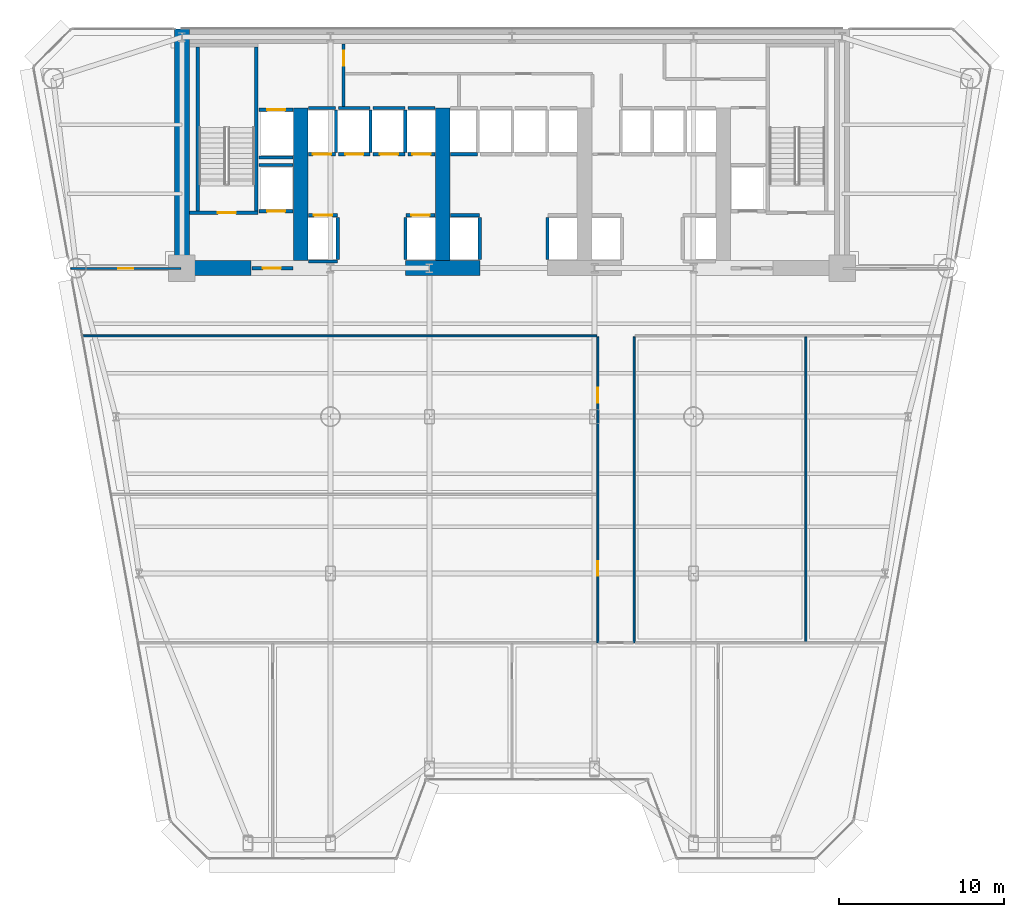
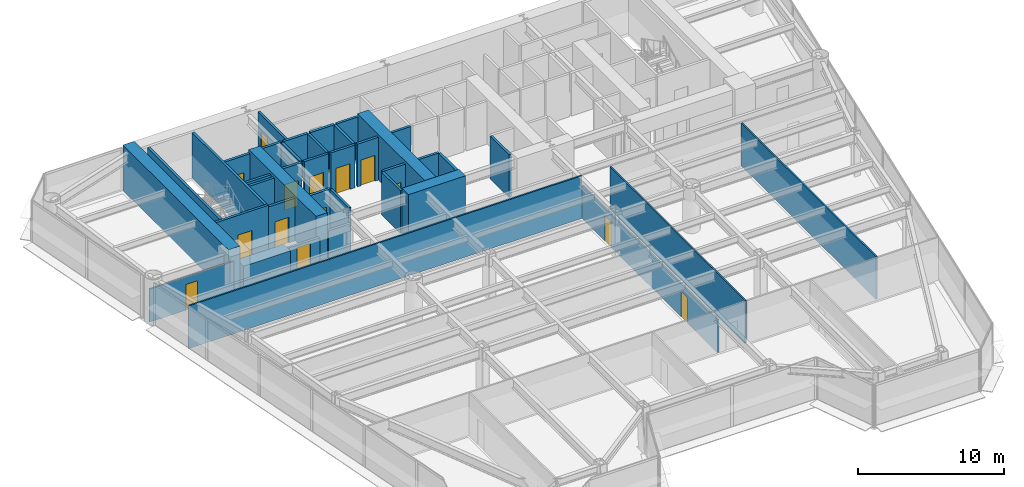
# One storey, part 8 of 14: 39 walls, 14 doors, 14 openings.
"""IFC4 building model written with IfcOpenShell, lengths in metres."""

import ifcopenshell
import ifcopenshell.guid

model = None  # the IFC model being written
_history = None  # IfcOwnerHistory: only IFC2X3 demands one
_inside = {}  # id of a spatial element -> (the spatial element, [elements in it])
_under = {}  # id of a project, library or spatial element -> (it, [spatial elements below it])
_declared = {}  # id of a project -> (the project, [libraries it declares])
_typed = {}  # id of a type object -> (the type object, [elements of that type])
_made_of = {}  # id of a material, layer set ... -> (it, [elements and type objects made of it])


def new_model(schema):
    """Start an empty IFC model of exactly this schema.

    Asked for "IFC4X3", IfcOpenShell would pick the latest addendum, in which some entities
    have other attributes; the version numbers below select the first issue.
    IFC2X3 requires an IfcOwnerHistory on every rooted entity: one is made here for all.
    """
    global model, _history
    if schema == "IFC4X3":
        model = ifcopenshell.file(schema_version=(4, 3, 0, 0))
    else:
        model = ifcopenshell.file(schema=schema)
    _inside.clear()
    _under.clear()
    _declared.clear()
    _typed.clear()
    _made_of.clear()
    _history = None
    if model.schema == "IFC2X3":
        org = make("IfcOrganization", Name="unknown")
        user = make(
            "IfcPersonAndOrganization",
            ThePerson=make("IfcPerson", FamilyName="unknown"),
            TheOrganization=org,
        )
        app = make(
            "IfcApplication",
            ApplicationDeveloper=org,
            Version="unknown",
            ApplicationFullName="unknown",
            ApplicationIdentifier="unknown",
        )
        _history = make(
            "IfcOwnerHistory",
            OwningUser=user,
            OwningApplication=app,
            ChangeAction="ADDED",
            CreationDate=0,
        )
    return model


def make(cls, **values):
    """One entity of the class cls with the attributes given. An attribute that is None is left unset."""
    return model.create_entity(
        cls, **{name: value for name, value in values.items() if value is not None}
    )


def rooted(cls, **values):
    """An entity with a GlobalId (a new one), such as an element, a storey or a relation."""
    return make(cls, GlobalId=ifcopenshell.guid.new(), OwnerHistory=_history, **values)


def si_unit(unit_type, name, prefix=None):
    """IfcSIUnit, for example si_unit("LENGTHUNIT", "METRE", prefix="MILLI")."""
    return make("IfcSIUnit", UnitType=unit_type, Prefix=prefix, Name=name)


def assignment(units):
    """IfcUnitAssignment: the units of a project."""
    return None if units is None else make("IfcUnitAssignment", Units=units)


def point(xyz):
    """IfcCartesianPoint."""
    return None if xyz is None else make("IfcCartesianPoint", Coordinates=xyz)


def direction(xyz):
    """IfcDirection."""
    return None if xyz is None else make("IfcDirection", DirectionRatios=xyz)


def frame(location, z_axis=None, x_axis=None):
    """IfcAxis2Placement3D, a coordinate frame: its origin and axes. An axis left out is left unset."""
    return make(
        "IfcAxis2Placement3D",
        Location=point(location),
        Axis=direction(z_axis),
        RefDirection=direction(x_axis),
    )


def frame_2d(location, x_axis=None):
    """IfcAxis2Placement2D, a coordinate frame in the plane: its origin and x axis."""
    return make(
        "IfcAxis2Placement2D", Location=point(location), RefDirection=direction(x_axis)
    )


def origin():
    """The frame at (0, 0, 0) with its axes left unset."""
    return frame((0.0, 0.0, 0.0))


def place(relative_to, where):
    """IfcLocalPlacement: puts the frame where relative to a parent placement (None: the world)."""
    return make(
        "IfcLocalPlacement", PlacementRelTo=relative_to, RelativePlacement=where
    )


def context(
    kind, dimensions, precision=None, world=None, true_north=None, identifier=None
):
    """IfcGeometricRepresentationContext, for example the 3D "Model" context."""
    return make(
        "IfcGeometricRepresentationContext",
        ContextIdentifier=identifier,
        ContextType=kind,
        CoordinateSpaceDimension=dimensions,
        Precision=precision,
        WorldCoordinateSystem=world,
        TrueNorth=true_north,
    )


def subcontext(parent, identifier, kind, view, scale=None):
    """IfcGeometricRepresentationSubContext, for example "Body" below "Model"."""
    return make(
        "IfcGeometricRepresentationSubContext",
        ContextIdentifier=identifier,
        ContextType=kind,
        ParentContext=parent,
        TargetScale=scale,
        TargetView=view,
    )


def project(units=None, contexts=None):
    """IfcProject with its units and contexts."""
    return rooted(
        "IfcProject",
        Name="project",
        RepresentationContexts=contexts,
        UnitsInContext=assignment(units),
    )


def spatial(cls, under=None, at=None, **own):
    """A site, building, storey or space (cls), placed at a placement, below another one or the project."""
    s = rooted(cls, ObjectPlacement=at, **own)
    if under is not None:
        _under.setdefault(under.id(), (under, []))[1].append(s)
    return s


def profile(cls, at=None, kind="AREA", **sizes):
    """A parametric profile (cls). Its sizes go by their IFC names, for example OverallWidth=200.0."""
    return make(cls, ProfileType=kind, Position=at, **sizes)


def rectangle(**sizes):
    """IfcRectangleProfileDef."""
    return profile("IfcRectangleProfileDef", **sizes)


def extrude(swept, where, along, depth):
    """IfcExtrudedAreaSolid: the profile swept, set in the frame where, extruded along a direction by depth."""
    return make(
        "IfcExtrudedAreaSolid",
        SweptArea=swept,
        Position=where,
        ExtrudedDirection=direction(along),
        Depth=depth,
    )


def shape(context_of_items, identifier, shape_type, items):
    """IfcShapeRepresentation: the items that make up one representation, for example the "Body"."""
    return make(
        "IfcShapeRepresentation",
        ContextOfItems=context_of_items,
        RepresentationIdentifier=identifier,
        RepresentationType=shape_type,
        Items=items,
    )


def source(mapping_origin, context_of_items, identifier, shape_type, items):
    """IfcRepresentationMap: a shape defined once, which mapped items show again and again."""
    return make(
        "IfcRepresentationMap",
        MappingOrigin=mapping_origin,
        MappedRepresentation=shape(context_of_items, identifier, shape_type, items),
    )


def transform(
    local_origin,
    x_axis=None,
    y_axis=None,
    z_axis=None,
    scale=None,
    scale2=None,
    scale3=None,
    uniform=True,
):
    """IfcCartesianTransformationOperator3D, or its non-uniform kind. x_axis, y_axis, z_axis: its Axis1, 2, 3."""
    if uniform:
        return make(
            "IfcCartesianTransformationOperator3D",
            Axis1=direction(x_axis),
            Axis2=direction(y_axis),
            LocalOrigin=point(local_origin),
            Scale=scale,
            Axis3=direction(z_axis),
        )
    return make(
        "IfcCartesianTransformationOperator3DnonUniform",
        Axis1=direction(x_axis),
        Axis2=direction(y_axis),
        LocalOrigin=point(local_origin),
        Scale=scale,
        Axis3=direction(z_axis),
        Scale2=scale2,
        Scale3=scale3,
    )


def mapped(mapping_source, mapping_target):
    """IfcMappedItem: shows the shape of a source again, moved by a transform."""
    return make(
        "IfcMappedItem", MappingSource=mapping_source, MappingTarget=mapping_target
    )


def material(Name=None, Category=None):
    """IfcMaterial."""
    return make("IfcMaterial", Name=Name, Category=Category)


def layer(
    of_material, thickness, ventilated=None, Name=None, Category=None, Priority=None
):
    """IfcMaterialLayer: one layer of a wall or slab, of a material (None: an air gap)."""
    return make(
        "IfcMaterialLayer",
        Material=of_material,
        LayerThickness=thickness,
        IsVentilated=ventilated,
        Name=Name,
        Category=Category,
        Priority=Priority,
    )


def layer_set(layers, Name=None):
    """IfcMaterialLayerSet."""
    return make("IfcMaterialLayerSet", MaterialLayers=layers, LayerSetName=Name)


def made_of(thing, what):
    """Note that an element or type object is made of a material, layer set ...; save() writes the relation."""
    if what is not None:
        _made_of.setdefault(what.id(), (what, []))[1].append(thing)
    return thing


def type_object(cls, material=None, **own):
    """A type object (cls), such as IfcWallType, which elements share."""
    return made_of(rooted(cls, **own), material)


def element(
    cls,
    number,
    at=None,
    inside=None,
    cuts=None,
    type_object=None,
    material=None,
    context=None,
    identifier="Body",
    shape_type=None,
    held_by="IfcProductDefinitionShape",
    body=None,
    shapes=None,
    **own,
):
    """One element of the class cls, such as IfcWall. Its Tag is "e" and its number.

    at: its placement. inside: the storey or other place that contains it. cuts: it is an
    opening in that element (IfcRelVoidsElement). A single representation is given by context,
    identifier, shape_type and body (its items); several are given by shapes. held_by: the class
    of the entity that holds the representations. save() writes the other relations.
    """
    e = rooted(cls, Tag="e%d" % number, ObjectPlacement=at, **own)
    if body is not None:
        shapes = [shape(context, identifier, shape_type, body)]
    if shapes is not None:
        e.Representation = make(held_by, Representations=shapes)
    if inside is not None:
        _inside.setdefault(inside.id(), (inside, []))[1].append(e)
    if cuts is not None:
        rooted(
            "IfcRelVoidsElement", RelatingBuildingElement=cuts, RelatedOpeningElement=e
        )
    if type_object is not None:
        _typed.setdefault(type_object.id(), (type_object, []))[1].append(e)
    return made_of(e, material)


def fill(opening, filler):
    """IfcRelFillsElement: the door or window that sits in an opening."""
    return rooted(
        "IfcRelFillsElement",
        RelatingOpeningElement=opening,
        RelatedBuildingElement=filler,
    )


def aggregate(whole, parts):
    """IfcRelAggregates: a whole, such as a stair, and the parts it consists of."""
    return rooted("IfcRelAggregates", RelatingObject=whole, RelatedObjects=parts)


def save(model, path):
    """Write the relations noted so far, then the file.

    IfcRelAggregates (storeys below a building ...), IfcRelContainedInSpatialStructure (elements
    in a storey), IfcRelDefinesByType, IfcRelAssociatesMaterial and IfcRelDeclares: one each for
    every whole, place, type object, material and project.
    """
    for whole, parts in _under.values():
        aggregate(whole, parts)
    for where, things in _inside.values():
        rooted(
            "IfcRelContainedInSpatialStructure",
            RelatedElements=things,
            RelatingStructure=where,
        )
    for kind, things in _typed.values():
        rooted("IfcRelDefinesByType", RelatedObjects=things, RelatingType=kind)
    for what, things in _made_of.values():
        rooted("IfcRelAssociatesMaterial", RelatedObjects=things, RelatingMaterial=what)
    for by, libraries in _declared.values():
        rooted("IfcRelDeclares", RelatingContext=by, RelatedDefinitions=libraries)
    model.write(path)


model = new_model("IFC4")

# Units and contexts
model_context = context("Model", 3, precision=1e-05, world=origin(), true_north=direction((0.0, 1.0)))
body_context = subcontext(model_context, "Body", "Model", "MODEL_VIEW")
ifc_project = project(units=[si_unit("LENGTHUNIT", "METRE"), si_unit("AREAUNIT", "SQUARE_METRE"), si_unit("VOLUMEUNIT", "CUBIC_METRE"), si_unit("PLANEANGLEUNIT", "RADIAN"), si_unit("MASSUNIT", "GRAM", prefix="KILO")], contexts=[model_context])

# Site, building, storey
site_placement = place(None, origin())
site = spatial("IfcSite", under=ifc_project, at=site_placement, CompositionType="ELEMENT")
building_placement = place(site_placement, origin())
building = spatial("IfcBuilding", under=site, at=building_placement, Name="Vaeldorn Concourse Tower", CompositionType="ELEMENT")
storey_placement = place(building_placement, frame((0.0, 0.0, 30.199951171875)))
storey = spatial("IfcBuildingStorey", under=building, at=storey_placement, Name="L07", CompositionType="ELEMENT", Elevation=30.199951171875)

# Walls
ifc_material_1 = material(Name="Concrete C60/75", Category="concrete")
ifc_layer_1 = layer(ifc_material_1, 0.89990234375)
ifc_layer_set_1 = layer_set([ifc_layer_1], Name="Concrete C60/75")
wall_type_1 = type_object("IfcWallType", Name="WL-CORE-900", PredefinedType="SHEAR", material=ifc_layer_set_1)
wall_1_placement = place(storey_placement, frame((14.0, 36.5, 0.0), z_axis=(0.0, 0.0, 1.0), x_axis=(0.0, 1.0, 0.0)))
element("IfcWall", 1, at=wall_1_placement, inside=storey, type_object=wall_type_1, Name="Rear Core Shear Wall L07 W1", PredefinedType="SHEAR", context=body_context, shape_type="SweptSolid", body=[
    extrude(rectangle(XDim=14.5, YDim=0.89990234375, at=frame_2d((7.25, 0.0))), origin(), (0.0, 0.0, 1.0), 3.800048828125),
])
wall_2_placement = place(storey_placement, frame((14.469970703125, 36.5, 0.0), z_axis=(0.0, 0.0, 1.0), x_axis=(1.0, 0.0, 0.0)))
element("IfcWall", 2, at=wall_2_placement, inside=storey, type_object=wall_type_1, Name="Rear Core Shear Wall L07 S1", PredefinedType="SHEAR", context=body_context, shape_type="SweptSolid", body=[
    extrude(rectangle(XDim=3.72998046875, YDim=0.89990234375, at=frame_2d((1.864990234375, 0.0))), origin(), (0.0, 0.0, 1.0), 2.380126953125),
])
wall_3_placement = place(storey_placement, frame((27.550048828125, 36.5, 0.0), z_axis=(0.0, 0.0, 1.0), x_axis=(1.0, 0.0, 0.0)))
element("IfcWall", 3, at=wall_3_placement, inside=storey, type_object=wall_type_1, Name="Rear Core Shear Wall L07 S2", PredefinedType="SHEAR", context=body_context, shape_type="SweptSolid", body=[
    extrude(rectangle(XDim=4.5, YDim=0.89990234375, at=frame_2d((2.25, 0.0))), origin(), (0.0, 0.0, 1.0), 3.800048828125),
])
for number, where, z_axis, x_axis, name in (
    (4, (21.199951171875, 36.969970703125, 0.0), (0.0, 0.0, 1.0), (0.0, 1.0, 0.0), "Rear Core Shear Wall L07 M1"),
    (5, (29.800048828125, 36.969970703125, 0.0), (0.0, 0.0, 1.0), (0.0, 1.0, 0.0), "Rear Core Shear Wall L07 M2"),
):
    element("IfcWall", number, at=place(storey_placement, frame(where, z_axis=z_axis, x_axis=x_axis)), inside=storey, type_object=wall_type_1, Name=name, PredefinedType="SHEAR", context=body_context, shape_type="SweptSolid", body=[
        extrude(rectangle(XDim=9.22998046875, YDim=0.89990234375, at=frame_2d((4.614990234375, 0.0))), origin(), (0.0, 0.0, 1.0), 3.800048828125),
    ])
ifc_material_2 = material(Name="Gypsum Board Partition", Category="gypsum")
ifc_layer_2 = layer(ifc_material_2, 0.1201171875)
ifc_layer_set_2 = layer_set([ifc_layer_2], Name="Gypsum Board Partition")
wall_type_2 = type_object("IfcWallType", Name="WL-PART-120", PredefinedType="PARTITIONING", material=ifc_layer_set_2)
wall_4_placement = place(storey_placement, frame((8.000244140625, 32.39990234375, 0.0), z_axis=(0.0, 0.0, 1.0), x_axis=(1.0, 0.0, 0.0)))
element("IfcWall", 6, at=wall_4_placement, inside=storey, type_object=wall_type_2, Name="Interior Wall PW-L07-C2SW", PredefinedType="PARTITIONING", context=body_context, shape_type="SweptSolid", body=[
    extrude(rectangle(XDim=31.1396484375, YDim=0.1201171875, at=frame_2d((15.56982421875, 0.0))), origin(), (0.0, 0.0, 1.0), 3.580078125),
])

# Wall, openings, doors
wall_5_placement = place(storey_placement, frame((39.199951171875, 13.800048828125, 0.0), z_axis=(0.0, 0.0, 1.0), x_axis=(0.0, 1.0, 0.0)))
wall_5 = element("IfcWall", 7, at=wall_5_placement, inside=storey, type_object=wall_type_2, Name="Interior Wall PW-L07-SP2W", PredefinedType="PARTITIONING", context=body_context, shape_type="SweptSolid", body=[
    extrude(rectangle(XDim=18.5400390625, YDim=0.1201171875, at=frame_2d((9.27001953125, 0.0))), origin(), (0.0, 0.0, 1.0), 2.77001953125),
])
opening_1_placement = place(wall_5_placement, frame((4.050048828125, 0.0, 0.0)))
opening_1 = element("IfcOpeningElement", 8, at=opening_1_placement, cuts=wall_5, Name="Opening D-03", PredefinedType="OPENING", context=body_context, shape_type="SweptSolid", body=[
    extrude(rectangle(XDim=0.89990234375, YDim=2.14990234375, at=frame_2d((0.449951171875, 1.074951171875))), frame((0.0, 0.070068359375, 0.0), z_axis=(0.0, -1.0, 0.0), x_axis=(1.0, 0.0, 0.0)), (0.0, 0.0, 1.0), 0.14013671875),
])
opening_2_placement = place(wall_5_placement, frame((14.550048828125, 0.0, 0.0)))
opening_2 = element("IfcOpeningElement", 9, at=opening_2_placement, cuts=wall_5, Name="Opening D-03", PredefinedType="OPENING", context=body_context, shape_type="SweptSolid", body=[
    extrude(rectangle(XDim=0.89990234375, YDim=2.14990234375, at=frame_2d((0.449951171875, 1.074951171875))), frame((0.0, 0.070068359375, 0.0), z_axis=(0.0, -1.0, 0.0), x_axis=(1.0, 0.0, 0.0)), (0.0, 0.0, 1.0), 0.14013671875),
])
ifc_material_3 = material(Name="Acoustic Bronze-Framed Glass Door", Category="glass")
door_type_1 = type_object("IfcDoorType", Name="DR-INT-900", OperationType="NOTDEFINED", PredefinedType="DOOR", material=ifc_material_3)
shared_shape_1 = source(origin(), body_context, "Body", "SweptSolid", [
    extrude(rectangle(XDim=0.89990234375, YDim=2.14990234375, at=frame_2d((0.449951171875, 1.074951171875))), frame((0.0, 0.02490234375, 0.0), z_axis=(0.0, -1.0, 0.0), x_axis=(1.0, 0.0, 0.0)), (0.0, 0.0, 1.0), 0.050048828125),
])
door_1_placement = place(opening_1_placement, origin())
door_1 = element("IfcDoor", 10, at=door_1_placement, inside=storey, type_object=door_type_1, Name="Interior Door DR-L07-Z2W1", OperationType="SINGLE_SWING_LEFT", OverallHeight=2.14990234375, OverallWidth=0.89990234375, PredefinedType="DOOR", context=body_context, shape_type="MappedRepresentation", body=[
    mapped(shared_shape_1, transform((0.0, 0.0, 0.0), scale=1.0)),
])
fill(opening_1, door_1)
door_2_placement = place(opening_2_placement, origin())
door_2 = element("IfcDoor", 11, at=door_2_placement, inside=storey, type_object=door_type_1, Name="Interior Door DR-L07-Z2W2", OperationType="SINGLE_SWING_RIGHT", OverallHeight=2.14990234375, OverallWidth=0.89990234375, PredefinedType="DOOR", context=body_context, shape_type="MappedRepresentation", body=[
    mapped(shared_shape_1, transform((0.0, 0.0, 0.0), scale=1.0)),
])
fill(opening_2, door_2)

# Wall
wall_6_placement = place(storey_placement, frame((41.39990234375, 13.800048828125, 0.0), z_axis=(0.0, 0.0, 1.0), x_axis=(0.0, 1.0, 0.0)))
element("IfcWall", 12, at=wall_6_placement, inside=storey, type_object=wall_type_2, Name="Interior Wall PW-L07-SP2E", PredefinedType="PARTITIONING", context=body_context, shape_type="SweptSolid", body=[
    extrude(rectangle(XDim=18.5400390625, YDim=0.1201171875, at=frame_2d((9.27001953125, 0.0))), origin(), (0.0, 0.0, 1.0), 3.580078125),
])

# Wall, opening, door
wall_7_placement = place(storey_placement, frame((7.264892578125, 36.47998046875, 0.0), z_axis=(0.0, 0.0, 1.0), x_axis=(1.0, 0.0, 0.0)))
wall_7 = element("IfcWall", 13, at=wall_7_placement, inside=storey, type_object=wall_type_2, Name="Interior Wall PW-L07-NWS", PredefinedType="PARTITIONING", context=body_context, shape_type="SweptSolid", body=[
    extrude(rectangle(XDim=6.675048828125, YDim=0.1201171875, at=frame_2d((3.33740234375, 0.0))), origin(), (0.0, 0.0, 1.0), 2.77001953125),
])
opening_3_placement = place(wall_7_placement, frame((2.887939453125, 0.0, 0.0)))
opening_3 = element("IfcOpeningElement", 14, at=opening_3_placement, cuts=wall_7, Name="Opening D-03", PredefinedType="OPENING", context=body_context, shape_type="SweptSolid", body=[
    extrude(rectangle(XDim=0.89990234375, YDim=2.14990234375, at=frame_2d((0.449951171875, 1.074951171875))), frame((0.0, 0.070068359375, 0.0), z_axis=(0.0, -1.0, 0.0), x_axis=(1.0, 0.0, 0.0)), (0.0, 0.0, 1.0), 0.14013671875),
])
door_3_placement = place(opening_3_placement, origin())
door_3 = element("IfcDoor", 15, at=door_3_placement, inside=storey, type_object=door_type_1, Name="Interior Door DR-L07-NWC", OperationType="SINGLE_SWING_LEFT", OverallHeight=2.14990234375, OverallWidth=0.89990234375, PredefinedType="DOOR", context=body_context, shape_type="MappedRepresentation", body=[
    mapped(shared_shape_1, transform((0.0, 0.0, 0.0), scale=1.0)),
])
fill(opening_3, door_3)

# Wall
wall_8_placement = place(storey_placement, frame((51.800048828125, 13.860107421875, 0.0), z_axis=(0.0, 0.0, 1.0), x_axis=(0.0, 1.0, 0.0)))
element("IfcWall", 16, at=wall_8_placement, inside=storey, type_object=wall_type_2, Name="Interior Wall PW-L07-Z2EX1", PredefinedType="PARTITIONING", context=body_context, shape_type="SweptSolid", body=[
    extrude(rectangle(XDim=18.47998046875, YDim=0.1201171875, at=frame_2d((9.239990234375, 0.0))), origin(), (0.0, 0.0, 1.0), 3.580078125),
])

# Wall, opening, door
ifc_layer_3 = layer(ifc_material_2, 0.179931640625)
ifc_layer_set_3 = layer_set([ifc_layer_3], Name="Gypsum Board Partition")
wall_type_3 = type_object("IfcWallType", Name="WL-PLUMB-180", PredefinedType="PLUMBINGWALL", material=ifc_layer_set_3)
wall_9_placement = place(storey_placement, frame((23.800048828125, 46.280029296875, 0.0), z_axis=(0.0, 0.0, 1.0), x_axis=(0.0, 1.0, 0.0)))
wall_9 = element("IfcWall", 17, at=wall_9_placement, inside=storey, type_object=wall_type_3, Name="Interior Wall CW-L07-SDIV1", PredefinedType="PLUMBINGWALL", context=body_context, shape_type="SweptSolid", body=[
    extrude(rectangle(XDim=3.800048828125, YDim=0.179931640625, at=frame_2d((1.89990234375, 0.0))), origin(), (0.0, 0.0, 1.0), 3.580078125),
])
opening_4_placement = place(wall_9_placement, frame((2.485107421875, 0.0, 0.0)))
opening_4 = element("IfcOpeningElement", 18, at=opening_4_placement, cuts=wall_9, Name="Opening D-03", PredefinedType="OPENING", context=body_context, shape_type="SweptSolid", body=[
    extrude(rectangle(XDim=0.89990234375, YDim=2.14990234375, at=frame_2d((0.449951171875, 1.074951171875))), frame((0.0, 0.10009765625, 0.0), z_axis=(0.0, -1.0, 0.0), x_axis=(1.0, 0.0, 0.0)), (0.0, 0.0, 1.0), 0.199951171875),
])
door_4_placement = place(opening_4_placement, origin())
door_4 = element("IfcDoor", 19, at=door_4_placement, inside=storey, type_object=door_type_1, Name="Interior Door DR-L07-CS1", OperationType="SINGLE_SWING_LEFT", OverallHeight=2.14990234375, OverallWidth=0.89990234375, PredefinedType="DOOR", context=body_context, shape_type="MappedRepresentation", body=[
    mapped(shared_shape_1, transform((0.0, 0.0, 0.0), scale=1.0)),
])
fill(opening_4, door_4)

ifc_material_4 = material(Name="Concrete C50/60", Category="concrete")
ifc_layer_4 = layer(ifc_material_4, 0.199951171875)
ifc_layer_set_4 = layer_set([ifc_layer_4], Name="Concrete C50/60")
wall_type_4 = type_object("IfcWallType", Name="WL-SHAFT-200", PredefinedType="SOLIDWALL", material=ifc_layer_set_4)
wall_10_placement = place(storey_placement, frame((14.449951171875, 39.85009765625, 0.0), z_axis=(0.0, 0.0, 1.0), x_axis=(1.0, 0.0, 0.0)))
wall_10 = element("IfcWall", 20, at=wall_10_placement, inside=storey, type_object=wall_type_4, Name="Stair Shaft Wall CW-L07-ST-1-S", PredefinedType="SOLIDWALL", context=body_context, shape_type="SweptSolid", body=[
    extrude(rectangle(XDim=4.150146484375, YDim=0.199951171875, at=frame_2d((2.0751953125, 0.0))), origin(), (0.0, 0.0, 1.0), 3.800048828125),
])
opening_5_placement = place(wall_10_placement, frame((1.72509765625, 0.0, 0.0)))
opening_5 = element("IfcOpeningElement", 21, at=opening_5_placement, cuts=wall_10, Name="Opening D-01", PredefinedType="OPENING", context=body_context, shape_type="SweptSolid", body=[
    extrude(rectangle(XDim=1.10009765625, YDim=2.14990234375, at=frame_2d((0.550048828125, 1.074951171875))), frame((0.0, 0.10986328125, 0.0), z_axis=(0.0, -1.0, 0.0), x_axis=(1.0, 0.0, 0.0)), (0.0, 0.0, 1.0), 0.219970703125),
])
ifc_material_5 = material(Name="Fire-Rated Timber and Steel Leaf", Category="steel")
door_type_2 = type_object("IfcDoorType", Name="DR-FD60-1100", OperationType="NOTDEFINED", PredefinedType="DOOR", material=ifc_material_5)
shared_shape_2 = source(origin(), body_context, "Body", "SweptSolid", [
    extrude(rectangle(XDim=1.10009765625, YDim=2.14990234375, at=frame_2d((0.550048828125, 1.074951171875))), frame((0.0, 0.02490234375, 0.0), z_axis=(0.0, -1.0, 0.0), x_axis=(1.0, 0.0, 0.0)), (0.0, 0.0, 1.0), 0.050048828125),
])
door_5_placement = place(opening_5_placement, origin())
door_5 = element("IfcDoor", 22, at=door_5_placement, inside=storey, type_object=door_type_2, Name="Interior Door DR-L07-ST-1", OperationType="SINGLE_SWING_LEFT", OverallHeight=2.14990234375, OverallWidth=1.10009765625, PredefinedType="DOOR", context=body_context, shape_type="MappedRepresentation", body=[
    mapped(shared_shape_2, transform((0.0, 0.0, 0.0), scale=1.0)),
])
fill(opening_5, door_5)

# Walls
for number, where, z_axis, x_axis, name in (
    (23, (14.949951171875, 39.9599609375, 0.0), (0.0, 0.0, 1.0), (0.0, 1.0, 0.0), "Stair Shaft Wall CW-L07-ST-1-W"),
    (24, (18.5, 39.9599609375, 0.0), (0.0, 0.0, 1.0), (0.0, 1.0, 0.0), "Stair Shaft Wall CW-L07-ST-1-E"),
):
    element("IfcWall", number, at=place(storey_placement, frame(where, z_axis=z_axis, x_axis=x_axis)), inside=storey, type_object=wall_type_4, Name=name, PredefinedType="SOLIDWALL", context=body_context, shape_type="SweptSolid", body=[
        extrude(rectangle(XDim=9.929931640625, YDim=0.199951171875, at=frame_2d((4.96484375, 0.0))), origin(), (0.0, 0.0, 1.0), 3.800048828125),
    ])

# Wall, opening, door
wall_11_placement = place(storey_placement, frame((18.25, 36.5, 0.0), z_axis=(0.0, 0.0, 1.0), x_axis=(1.0, 0.0, 0.0)))
wall_11 = element("IfcWall", 25, at=wall_11_placement, inside=storey, type_object=wall_type_4, Name="Interior Wall CW-L07-FF1S", PredefinedType="SOLIDWALL", context=body_context, shape_type="SweptSolid", body=[
    extrude(rectangle(XDim=2.469970703125, YDim=0.199951171875, at=frame_2d((1.23486328125, 0.0))), origin(), (0.0, 0.0, 1.0), 2.3701171875),
])
opening_6_placement = place(wall_11_placement, frame((0.64990234375, 0.0, 0.0)))
opening_6 = element("IfcOpeningElement", 26, at=opening_6_placement, cuts=wall_11, Name="Opening D-01", PredefinedType="OPENING", context=body_context, shape_type="SweptSolid", body=[
    extrude(rectangle(XDim=1.10009765625, YDim=2.14990234375, at=frame_2d((0.550048828125, 1.074951171875))), frame((0.0, 0.10986328125, 0.0), z_axis=(0.0, -1.0, 0.0), x_axis=(1.0, 0.0, 0.0)), (0.0, 0.0, 1.0), 0.219970703125),
])
door_6_placement = place(opening_6_placement, origin())
door_6 = element("IfcDoor", 27, at=door_6_placement, inside=storey, type_object=door_type_2, Name="Interior Door DR-L07-FF1E", OperationType="SINGLE_SWING_RIGHT", OverallHeight=2.14990234375, OverallWidth=1.10009765625, PredefinedType="DOOR", context=body_context, shape_type="MappedRepresentation", body=[
    mapped(shared_shape_2, transform((0.0, 0.0, 0.0), scale=1.0)),
])
fill(opening_6, door_6)

wall_12_placement = place(storey_placement, frame((21.659912109375, 39.699951171875, 0.0), z_axis=(0.0, 0.0, 1.0), x_axis=(1.0, 0.0, 0.0)))
wall_12 = element("IfcWall", 28, at=wall_12_placement, inside=storey, type_object=wall_type_4, Name="Interior Wall CW-L07-LF-LF-01", PredefinedType="SOLIDWALL", context=body_context, shape_type="SweptSolid", body=[
    extrude(rectangle(XDim=1.77001953125, YDim=0.199951171875, at=frame_2d((0.885009765625, 0.0))), origin(), (0.0, 0.0, 1.0), 3.580078125),
])
opening_7_placement = place(wall_12_placement, frame((0.3349609375, 0.0, 0.0)))
opening_7 = element("IfcOpeningElement", 29, at=opening_7_placement, cuts=wall_12, Name="Opening LD-1", PredefinedType="OPENING", context=body_context, shape_type="SweptSolid", body=[
    extrude(rectangle(XDim=1.10009765625, YDim=2.14990234375, at=frame_2d((0.550048828125, 1.074951171875))), frame((0.0, 0.10986328125, 0.0), z_axis=(0.0, -1.0, 0.0), x_axis=(1.0, 0.0, 0.0)), (0.0, 0.0, 1.0), 0.219970703125),
])
ifc_material_6 = material(Name="Anodised Bronze Aluminium", Category="aluminium")
door_type_3 = type_object("IfcDoorType", Name="DR-LIFT-SLIDE-1100", OperationType="DOUBLE_DOOR_SLIDING", PredefinedType="DOOR", material=ifc_material_6)
door_7_placement = place(opening_7_placement, origin())
door_7 = element("IfcDoor", 30, at=door_7_placement, inside=storey, type_object=door_type_3, Name="Lift Landing Door LD-L07-LF-01", OperationType="DOUBLE_DOOR_SLIDING", OverallHeight=2.14990234375, OverallWidth=1.10009765625, PredefinedType="DOOR", context=body_context, shape_type="MappedRepresentation", body=[
    mapped(shared_shape_2, transform((0.0, 0.0, 0.0), scale=1.0)),
])
fill(opening_7, door_7)

# Walls
wall_13_placement = place(storey_placement, frame((21.659912109375, 36.89990234375, 0.0), z_axis=(0.0, 0.0, 1.0), x_axis=(1.0, 0.0, 0.0)))
element("IfcWall", 31, at=wall_13_placement, inside=storey, type_object=wall_type_4, Name="Interior Wall CW-L07-LFB-LF-01", PredefinedType="SOLIDWALL", context=body_context, shape_type="SweptSolid", body=[
    extrude(rectangle(XDim=1.77001953125, YDim=0.199951171875, at=frame_2d((0.885009765625, 0.0))), origin(), (0.0, 0.0, 1.0), 2.3701171875),
])
wall_14_placement = place(storey_placement, frame((23.449951171875, 37.02001953125, 0.0), z_axis=(0.0, 0.0, 1.0), x_axis=(0.0, 1.0, 0.0)))
element("IfcWall", 32, at=wall_14_placement, inside=storey, type_object=wall_type_4, Name="Interior Wall CW-L07-LFE-LF-01", PredefinedType="SOLIDWALL", context=body_context, shape_type="SweptSolid", body=[
    extrude(rectangle(XDim=2.56005859375, YDim=0.199951171875, at=frame_2d((1.280029296875, 0.0))), origin(), (0.0, 0.0, 1.0), 3.580078125),
])

# Wall, opening, door
wall_15_placement = place(storey_placement, frame((27.570068359375, 39.699951171875, 0.0), z_axis=(0.0, 0.0, 1.0), x_axis=(1.0, 0.0, 0.0)))
wall_15 = element("IfcWall", 33, at=wall_15_placement, inside=storey, type_object=wall_type_4, Name="Interior Wall CW-L07-LF-LF-02", PredefinedType="SOLIDWALL", context=body_context, shape_type="SweptSolid", body=[
    extrude(rectangle(XDim=1.77001953125, YDim=0.199951171875, at=frame_2d((0.885009765625, 0.0))), origin(), (0.0, 0.0, 1.0), 3.580078125),
])
opening_8_placement = place(wall_15_placement, frame((0.3349609375, 0.0, 0.0)))
opening_8 = element("IfcOpeningElement", 34, at=opening_8_placement, cuts=wall_15, Name="Opening LD-1", PredefinedType="OPENING", context=body_context, shape_type="SweptSolid", body=[
    extrude(rectangle(XDim=1.10009765625, YDim=2.14990234375, at=frame_2d((0.550048828125, 1.074951171875))), frame((0.0, 0.10986328125, 0.0), z_axis=(0.0, -1.0, 0.0), x_axis=(1.0, 0.0, 0.0)), (0.0, 0.0, 1.0), 0.219970703125),
])
door_8_placement = place(opening_8_placement, origin())
door_8 = element("IfcDoor", 35, at=door_8_placement, inside=storey, type_object=door_type_3, Name="Lift Landing Door LD-L07-LF-02", OperationType="DOUBLE_DOOR_SLIDING", OverallHeight=2.14990234375, OverallWidth=1.10009765625, PredefinedType="DOOR", context=body_context, shape_type="MappedRepresentation", body=[
    mapped(shared_shape_2, transform((0.0, 0.0, 0.0), scale=1.0)),
])
fill(opening_8, door_8)

# Wall
wall_16_placement = place(storey_placement, frame((27.550048828125, 37.02001953125, 0.0), z_axis=(0.0, 0.0, 1.0), x_axis=(0.0, 1.0, 0.0)))
element("IfcWall", 36, at=wall_16_placement, inside=storey, type_object=wall_type_4, Name="Interior Wall CW-L07-LFW-LF-02", PredefinedType="SOLIDWALL", context=body_context, shape_type="SweptSolid", body=[
    extrude(rectangle(XDim=2.56005859375, YDim=0.199951171875, at=frame_2d((1.280029296875, 0.0))), origin(), (0.0, 0.0, 1.0), 3.580078125),
])

# Wall, opening, door
wall_17_placement = place(storey_placement, frame((21.659912109375, 43.39990234375, 0.0), z_axis=(0.0, 0.0, 1.0), x_axis=(1.0, 0.0, 0.0)))
wall_17 = element("IfcWall", 37, at=wall_17_placement, inside=storey, type_object=wall_type_4, Name="Interior Wall CW-L07-LF-LF-03", PredefinedType="SOLIDWALL", context=body_context, shape_type="SweptSolid", body=[
    extrude(rectangle(XDim=1.650146484375, YDim=0.199951171875, at=frame_2d((0.8251953125, 0.0))), origin(), (0.0, 0.0, 1.0), 3.580078125),
])
opening_9_placement = place(wall_17_placement, frame((0.27490234375, 0.0, 0.0)))
opening_9 = element("IfcOpeningElement", 38, at=opening_9_placement, cuts=wall_17, Name="Opening LD-1", PredefinedType="OPENING", context=body_context, shape_type="SweptSolid", body=[
    extrude(rectangle(XDim=1.10009765625, YDim=2.14990234375, at=frame_2d((0.550048828125, 1.074951171875))), frame((0.0, 0.10986328125, 0.0), z_axis=(0.0, -1.0, 0.0), x_axis=(1.0, 0.0, 0.0)), (0.0, 0.0, 1.0), 0.219970703125),
])
door_9_placement = place(opening_9_placement, origin())
door_9 = element("IfcDoor", 39, at=door_9_placement, inside=storey, type_object=door_type_3, Name="Lift Landing Door LD-L07-LF-03", OperationType="DOUBLE_DOOR_SLIDING", OverallHeight=2.14990234375, OverallWidth=1.10009765625, PredefinedType="DOOR", context=body_context, shape_type="MappedRepresentation", body=[
    mapped(shared_shape_2, transform((0.0, 0.0, 0.0), scale=1.0)),
])
fill(opening_9, door_9)

# Walls
wall_18_placement = place(storey_placement, frame((21.659912109375, 46.199951171875, 0.0), z_axis=(0.0, 0.0, 1.0), x_axis=(1.0, 0.0, 0.0)))
element("IfcWall", 40, at=wall_18_placement, inside=storey, type_object=wall_type_4, Name="Interior Wall CW-L07-LFB-LF-03", PredefinedType="SOLIDWALL", context=body_context, shape_type="SweptSolid", body=[
    extrude(rectangle(XDim=1.650146484375, YDim=0.199951171875, at=frame_2d((0.8251953125, 0.0))), origin(), (0.0, 0.0, 1.0), 3.580078125),
])
wall_19_placement = place(storey_placement, frame((23.330078125, 43.52001953125, 0.0), z_axis=(0.0, 0.0, 1.0), x_axis=(0.0, 1.0, 0.0)))
element("IfcWall", 41, at=wall_19_placement, inside=storey, type_object=wall_type_4, Name="Interior Wall CW-L07-LFE-LF-03", PredefinedType="SOLIDWALL", context=body_context, shape_type="SweptSolid", body=[
    extrude(rectangle(XDim=2.56005859375, YDim=0.199951171875, at=frame_2d((1.280029296875, 0.0))), origin(), (0.0, 0.0, 1.0), 3.580078125),
])

# Wall, opening, door
wall_20_placement = place(storey_placement, frame((23.489990234375, 43.39990234375, 0.0), z_axis=(0.0, 0.0, 1.0), x_axis=(1.0, 0.0, 0.0)))
wall_20 = element("IfcWall", 42, at=wall_20_placement, inside=storey, type_object=wall_type_4, Name="Interior Wall CW-L07-LF-LF-04", PredefinedType="SOLIDWALL", context=body_context, shape_type="SweptSolid", body=[
    extrude(rectangle(XDim=1.919921875, YDim=0.199951171875, at=frame_2d((0.9599609375, 0.0))), origin(), (0.0, 0.0, 1.0), 3.580078125),
])
opening_10_placement = place(wall_20_placement, frame((0.409912109375, 0.0, 0.0)))
opening_10 = element("IfcOpeningElement", 43, at=opening_10_placement, cuts=wall_20, Name="Opening LD-1", PredefinedType="OPENING", context=body_context, shape_type="SweptSolid", body=[
    extrude(rectangle(XDim=1.10009765625, YDim=2.14990234375, at=frame_2d((0.550048828125, 1.074951171875))), frame((0.0, 0.10986328125, 0.0), z_axis=(0.0, -1.0, 0.0), x_axis=(1.0, 0.0, 0.0)), (0.0, 0.0, 1.0), 0.219970703125),
])
door_10_placement = place(opening_10_placement, origin())
door_10 = element("IfcDoor", 44, at=door_10_placement, inside=storey, type_object=door_type_3, Name="Lift Landing Door LD-L07-LF-04", OperationType="DOUBLE_DOOR_SLIDING", OverallHeight=2.14990234375, OverallWidth=1.10009765625, PredefinedType="DOOR", context=body_context, shape_type="MappedRepresentation", body=[
    mapped(shared_shape_2, transform((0.0, 0.0, 0.0), scale=1.0)),
])
fill(opening_10, door_10)

# Walls
wall_21_placement = place(storey_placement, frame((23.489990234375, 46.199951171875, 0.0), z_axis=(0.0, 0.0, 1.0), x_axis=(1.0, 0.0, 0.0)))
element("IfcWall", 45, at=wall_21_placement, inside=storey, type_object=wall_type_4, Name="Interior Wall CW-L07-LFB-LF-04", PredefinedType="SOLIDWALL", context=body_context, shape_type="SweptSolid", body=[
    extrude(rectangle(XDim=1.919921875, YDim=0.199951171875, at=frame_2d((0.9599609375, 0.0))), origin(), (0.0, 0.0, 1.0), 3.580078125),
])
wall_22_placement = place(storey_placement, frame((25.429931640625, 43.52001953125, 0.0), z_axis=(0.0, 0.0, 1.0), x_axis=(0.0, 1.0, 0.0)))
element("IfcWall", 46, at=wall_22_placement, inside=storey, type_object=wall_type_4, Name="Interior Wall CW-L07-LFE-LF-04", PredefinedType="SOLIDWALL", context=body_context, shape_type="SweptSolid", body=[
    extrude(rectangle(XDim=2.56005859375, YDim=0.199951171875, at=frame_2d((1.280029296875, 0.0))), origin(), (0.0, 0.0, 1.0), 3.580078125),
])

# Wall, opening, door
wall_23_placement = place(storey_placement, frame((25.590087890625, 43.39990234375, 0.0), z_axis=(0.0, 0.0, 1.0), x_axis=(1.0, 0.0, 0.0)))
wall_23 = element("IfcWall", 47, at=wall_23_placement, inside=storey, type_object=wall_type_4, Name="Interior Wall CW-L07-LF-LF-05", PredefinedType="SOLIDWALL", context=body_context, shape_type="SweptSolid", body=[
    extrude(rectangle(XDim=1.919921875, YDim=0.199951171875, at=frame_2d((0.9599609375, 0.0))), origin(), (0.0, 0.0, 1.0), 3.580078125),
])
opening_11_placement = place(wall_23_placement, frame((0.409912109375, 0.0, 0.0)))
opening_11 = element("IfcOpeningElement", 48, at=opening_11_placement, cuts=wall_23, Name="Opening LD-1", PredefinedType="OPENING", context=body_context, shape_type="SweptSolid", body=[
    extrude(rectangle(XDim=1.10009765625, YDim=2.14990234375, at=frame_2d((0.550048828125, 1.074951171875))), frame((0.0, 0.10986328125, 0.0), z_axis=(0.0, -1.0, 0.0), x_axis=(1.0, 0.0, 0.0)), (0.0, 0.0, 1.0), 0.219970703125),
])
door_11_placement = place(opening_11_placement, origin())
door_11 = element("IfcDoor", 49, at=door_11_placement, inside=storey, type_object=door_type_3, Name="Lift Landing Door LD-L07-LF-05", OperationType="DOUBLE_DOOR_SLIDING", OverallHeight=2.14990234375, OverallWidth=1.10009765625, PredefinedType="DOOR", context=body_context, shape_type="MappedRepresentation", body=[
    mapped(shared_shape_2, transform((0.0, 0.0, 0.0), scale=1.0)),
])
fill(opening_11, door_11)

# Walls
wall_24_placement = place(storey_placement, frame((25.590087890625, 46.199951171875, 0.0), z_axis=(0.0, 0.0, 1.0), x_axis=(1.0, 0.0, 0.0)))
element("IfcWall", 50, at=wall_24_placement, inside=storey, type_object=wall_type_4, Name="Interior Wall CW-L07-LFB-LF-05", PredefinedType="SOLIDWALL", context=body_context, shape_type="SweptSolid", body=[
    extrude(rectangle(XDim=1.919921875, YDim=0.199951171875, at=frame_2d((0.9599609375, 0.0))), origin(), (0.0, 0.0, 1.0), 3.580078125),
])
wall_25_placement = place(storey_placement, frame((27.530029296875, 43.52001953125, 0.0), z_axis=(0.0, 0.0, 1.0), x_axis=(0.0, 1.0, 0.0)))
element("IfcWall", 51, at=wall_25_placement, inside=storey, type_object=wall_type_4, Name="Interior Wall CW-L07-LFE-LF-05", PredefinedType="SOLIDWALL", context=body_context, shape_type="SweptSolid", body=[
    extrude(rectangle(XDim=2.56005859375, YDim=0.199951171875, at=frame_2d((1.280029296875, 0.0))), origin(), (0.0, 0.0, 1.0), 3.580078125),
])

# Wall, opening, door
wall_26_placement = place(storey_placement, frame((27.68994140625, 43.39990234375, 0.0), z_axis=(0.0, 0.0, 1.0), x_axis=(1.0, 0.0, 0.0)))
wall_26 = element("IfcWall", 52, at=wall_26_placement, inside=storey, type_object=wall_type_4, Name="Interior Wall CW-L07-LF-LF-06", PredefinedType="SOLIDWALL", context=body_context, shape_type="SweptSolid", body=[
    extrude(rectangle(XDim=1.650146484375, YDim=0.199951171875, at=frame_2d((0.8251953125, 0.0))), origin(), (0.0, 0.0, 1.0), 3.580078125),
])
opening_12_placement = place(wall_26_placement, frame((0.27490234375, 0.0, 0.0)))
opening_12 = element("IfcOpeningElement", 53, at=opening_12_placement, cuts=wall_26, Name="Opening LD-1", PredefinedType="OPENING", context=body_context, shape_type="SweptSolid", body=[
    extrude(rectangle(XDim=1.10009765625, YDim=2.14990234375, at=frame_2d((0.550048828125, 1.074951171875))), frame((0.0, 0.10986328125, 0.0), z_axis=(0.0, -1.0, 0.0), x_axis=(1.0, 0.0, 0.0)), (0.0, 0.0, 1.0), 0.219970703125),
])
door_12_placement = place(opening_12_placement, origin())
door_12 = element("IfcDoor", 54, at=door_12_placement, inside=storey, type_object=door_type_3, Name="Lift Landing Door LD-L07-LF-06", OperationType="DOUBLE_DOOR_SLIDING", OverallHeight=2.14990234375, OverallWidth=1.10009765625, PredefinedType="DOOR", context=body_context, shape_type="MappedRepresentation", body=[
    mapped(shared_shape_2, transform((0.0, 0.0, 0.0), scale=1.0)),
])
fill(opening_12, door_12)

# Walls
wall_27_placement = place(storey_placement, frame((27.68994140625, 46.199951171875, 0.0), z_axis=(0.0, 0.0, 1.0), x_axis=(1.0, 0.0, 0.0)))
element("IfcWall", 55, at=wall_27_placement, inside=storey, type_object=wall_type_4, Name="Interior Wall CW-L07-LFB-LF-06", PredefinedType="SOLIDWALL", context=body_context, shape_type="SweptSolid", body=[
    extrude(rectangle(XDim=1.650146484375, YDim=0.199951171875, at=frame_2d((0.8251953125, 0.0))), origin(), (0.0, 0.0, 1.0), 3.580078125),
])
wall_28_placement = place(storey_placement, frame((30.260009765625, 39.699951171875, 0.0), z_axis=(0.0, 0.0, 1.0), x_axis=(1.0, 0.0, 0.0)))
element("IfcWall", 56, at=wall_28_placement, inside=storey, type_object=wall_type_4, Name="Interior Wall CW-L07-LF-LF-07", PredefinedType="SOLIDWALL", context=body_context, shape_type="SweptSolid", body=[
    extrude(rectangle(XDim=1.77001953125, YDim=0.199951171875, at=frame_2d((0.885009765625, 0.0))), origin(), (0.0, 0.0, 1.0), 3.580078125),
])
for number, where, z_axis, x_axis, name in (
    (57, (32.050048828125, 37.02001953125, 0.0), (0.0, 0.0, 1.0), (0.0, 1.0, 0.0), "Interior Wall CW-L07-LFE-LF-07"),
    (58, (36.14990234375, 37.02001953125, 0.0), (0.0, 0.0, 1.0), (0.0, 1.0, 0.0), "Interior Wall CW-L07-LFW-LF-08"),
):
    element("IfcWall", number, at=place(storey_placement, frame(where, z_axis=z_axis, x_axis=x_axis)), inside=storey, type_object=wall_type_4, Name=name, PredefinedType="SOLIDWALL", context=body_context, shape_type="SweptSolid", body=[
        extrude(rectangle(XDim=2.56005859375, YDim=0.199951171875, at=frame_2d((1.280029296875, 0.0))), origin(), (0.0, 0.0, 1.0), 3.580078125),
    ])
wall_29_placement = place(storey_placement, frame((30.260009765625, 43.39990234375, 0.0), z_axis=(0.0, 0.0, 1.0), x_axis=(1.0, 0.0, 0.0)))
element("IfcWall", 59, at=wall_29_placement, inside=storey, type_object=wall_type_4, Name="Interior Wall CW-L07-LF-LF-09", PredefinedType="SOLIDWALL", context=body_context, shape_type="SweptSolid", body=[
    extrude(rectangle(XDim=1.64990234375, YDim=0.199951171875, at=frame_2d((0.824951171875, 0.0))), origin(), (0.0, 0.0, 1.0), 3.580078125),
])

# Wall, opening, door
wall_30_placement = place(storey_placement, frame((18.669921875, 46.10009765625, 0.0), z_axis=(0.0, 0.0, 1.0), x_axis=(1.0, 0.0, 0.0)))
wall_30 = element("IfcWall", 60, at=wall_30_placement, inside=storey, type_object=wall_type_4, Name="Interior Wall CW-L07-LF-LF-SV1", PredefinedType="SOLIDWALL", context=body_context, shape_type="SweptSolid", body=[
    extrude(rectangle(XDim=2.070068359375, YDim=0.199951171875, at=frame_2d((1.03515625, 0.0))), origin(), (0.0, 0.0, 1.0), 3.580078125),
])
opening_13_placement = place(wall_30_placement, frame((0.485107421875, 0.0, 0.0)))
opening_13 = element("IfcOpeningElement", 61, at=opening_13_placement, cuts=wall_30, Name="Opening LD-1", PredefinedType="OPENING", context=body_context, shape_type="SweptSolid", body=[
    extrude(rectangle(XDim=1.10009765625, YDim=2.14990234375, at=frame_2d((0.550048828125, 1.074951171875))), frame((0.0, 0.10986328125, 0.0), z_axis=(0.0, -1.0, 0.0), x_axis=(1.0, 0.0, 0.0)), (0.0, 0.0, 1.0), 0.219970703125),
])
door_13_placement = place(opening_13_placement, origin())
door_13 = element("IfcDoor", 62, at=door_13_placement, inside=storey, type_object=door_type_3, Name="Lift Landing Door LD-L07-LF-SV1", OperationType="DOUBLE_DOOR_SLIDING", OverallHeight=2.14990234375, OverallWidth=1.10009765625, PredefinedType="DOOR", context=body_context, shape_type="MappedRepresentation", body=[
    mapped(shared_shape_2, transform((0.0, 0.0, 0.0), scale=1.0)),
])
fill(opening_13, door_13)

# Wall
wall_31_placement = place(storey_placement, frame((18.669921875, 43.199951171875, 0.0), z_axis=(0.0, 0.0, 1.0), x_axis=(1.0, 0.0, 0.0)))
element("IfcWall", 63, at=wall_31_placement, inside=storey, type_object=wall_type_4, Name="Interior Wall CW-L07-LFB-LF-SV1", PredefinedType="SOLIDWALL", context=body_context, shape_type="SweptSolid", body=[
    extrude(rectangle(XDim=2.070068359375, YDim=0.199951171875, at=frame_2d((1.03515625, 0.0))), origin(), (0.0, 0.0, 1.0), 3.580078125),
])

# Wall, opening, door
wall_32_placement = place(storey_placement, frame((18.669921875, 39.949951171875, 0.0), z_axis=(0.0, 0.0, 1.0), x_axis=(1.0, 0.0, 0.0)))
wall_32 = element("IfcWall", 64, at=wall_32_placement, inside=storey, type_object=wall_type_4, Name="Interior Wall CW-L07-LF-LF-FF1", PredefinedType="SOLIDWALL", context=body_context, shape_type="SweptSolid", body=[
    extrude(rectangle(XDim=2.070068359375, YDim=0.199951171875, at=frame_2d((1.03515625, 0.0))), origin(), (0.0, 0.0, 1.0), 3.580078125),
])
opening_14_placement = place(wall_32_placement, frame((0.485107421875, 0.0, 0.0)))
opening_14 = element("IfcOpeningElement", 65, at=opening_14_placement, cuts=wall_32, Name="Opening LD-1", PredefinedType="OPENING", context=body_context, shape_type="SweptSolid", body=[
    extrude(rectangle(XDim=1.10009765625, YDim=2.14990234375, at=frame_2d((0.550048828125, 1.074951171875))), frame((0.0, 0.10986328125, 0.0), z_axis=(0.0, -1.0, 0.0), x_axis=(1.0, 0.0, 0.0)), (0.0, 0.0, 1.0), 0.219970703125),
])
door_14_placement = place(opening_14_placement, origin())
door_14 = element("IfcDoor", 66, at=door_14_placement, inside=storey, type_object=door_type_3, Name="Lift Landing Door LD-L07-LF-FF1", OperationType="DOUBLE_DOOR_SLIDING", OverallHeight=2.14990234375, OverallWidth=1.10009765625, PredefinedType="DOOR", context=body_context, shape_type="MappedRepresentation", body=[
    mapped(shared_shape_2, transform((0.0, 0.0, 0.0), scale=1.0)),
])
fill(opening_14, door_14)

# Wall
wall_33_placement = place(storey_placement, frame((18.669921875, 42.75, 0.0), z_axis=(0.0, 0.0, 1.0), x_axis=(1.0, 0.0, 0.0)))
element("IfcWall", 67, at=wall_33_placement, inside=storey, type_object=wall_type_4, Name="Interior Wall CW-L07-LFB-LF-FF1", PredefinedType="SOLIDWALL", context=body_context, shape_type="SweptSolid", body=[
    extrude(rectangle(XDim=2.070068359375, YDim=0.199951171875, at=frame_2d((1.03515625, 0.0))), origin(), (0.0, 0.0, 1.0), 3.580078125),
])

save(model, "model.ifc")
